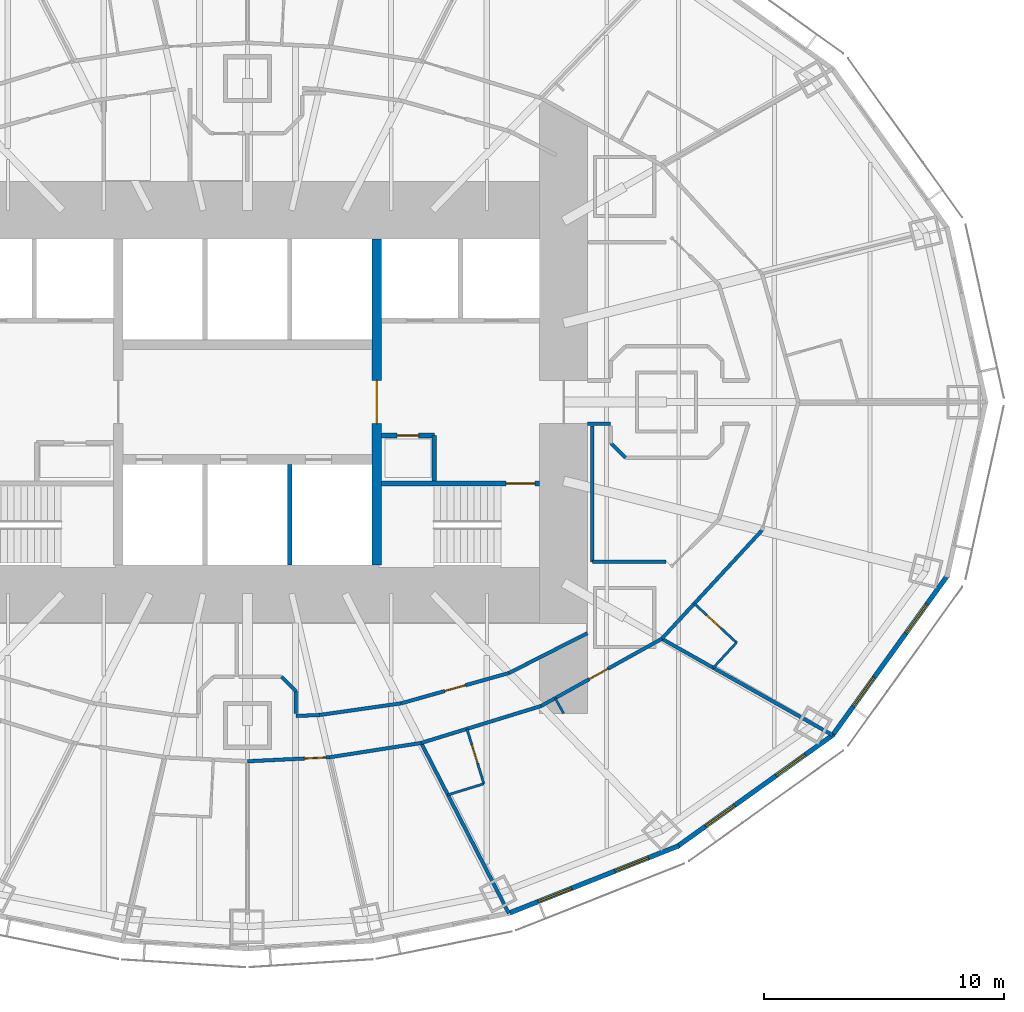
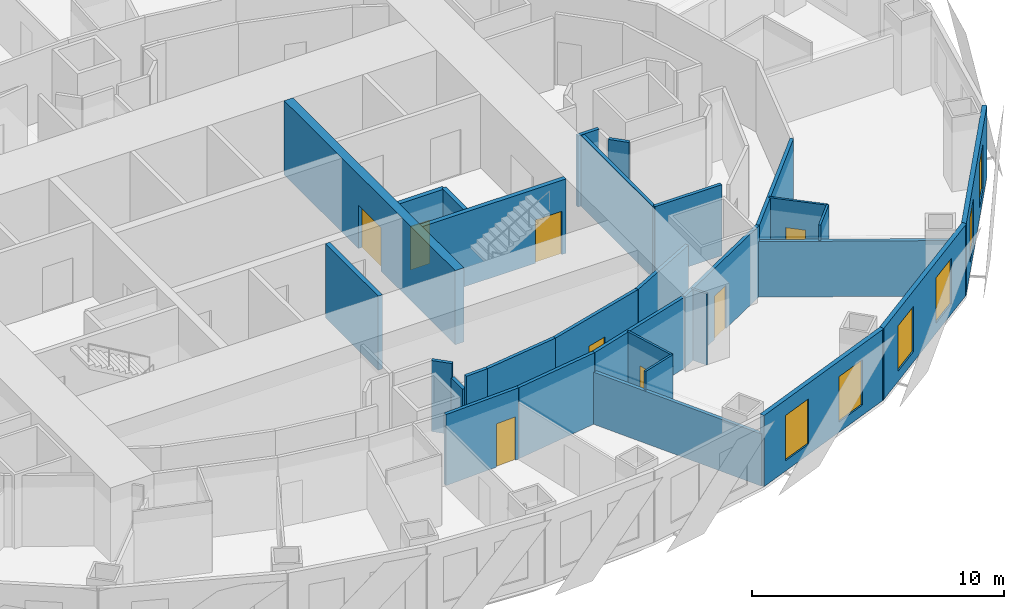
# One storey, part 7 of 15: 30 walls, 8 doors, 6 windows, 14 openings.
"""IFC4 building model written with IfcOpenShell, lengths in metres."""

from ifc_helpers import new_model, si_unit, direction, frame, frame_2d, origin, place, context, subcontext, project, spatial, rectangle, extrude, material, layer, layer_set, type_object, element, fill, save


model = new_model("IFC4")

# Units and contexts
model_context = context("Model", 3, precision=1e-05, world=origin(), true_north=direction((0.0, 1.0)))
body_context = subcontext(model_context, "Body", "Model", "MODEL_VIEW")
ifc_project = project(units=[si_unit("LENGTHUNIT", "METRE"), si_unit("AREAUNIT", "SQUARE_METRE"), si_unit("VOLUMEUNIT", "CUBIC_METRE"), si_unit("PLANEANGLEUNIT", "RADIAN"), si_unit("MASSUNIT", "GRAM", prefix="KILO")], contexts=[model_context])

# Site, building, storey
site_placement = place(None, origin())
site = spatial("IfcSite", under=ifc_project, at=site_placement, CompositionType="ELEMENT")
building_placement = place(site_placement, origin())
building = spatial("IfcBuilding", under=site, at=building_placement, Name="Lantaw Convention Tower", CompositionType="ELEMENT")
storey_placement = place(building_placement, frame((0.0, 0.0, 98.199951171875)))
storey = spatial("IfcBuildingStorey", under=building, at=storey_placement, Name="L23", CompositionType="ELEMENT", Elevation=98.199951171875)

# Walls
ifc_material_1 = material(Name="Gypsum board on steel studs", Category="steel")
ifc_layer_1 = layer(ifc_material_1, 0.14990234375)
ifc_layer_set_1 = layer_set([ifc_layer_1], Name="Back of house wall 150")
wall_type_1 = type_object("IfcWallType", Name="Back of house wall 150", PredefinedType="PARTITIONING", material=ifc_layer_set_1)
wall_1_placement = place(storey_placement, frame((1.424560546875, -11.47509765625, 0.0), z_axis=(0.0, 0.0, 1.0), x_axis=(0.707106781187, -0.707106781187, 0.0)))
element("IfcWall", 1, at=wall_1_placement, inside=storey, type_object=wall_type_1, Name="Back of house wall 150", PredefinedType="PARTITIONING", context=body_context, shape_type="SweptSolid", body=[
    extrude(rectangle(XDim=0.84912109375, YDim=0.14990234375, at=frame_2d((0.424560546875, 0.0))), origin(), (0.0, 0.0, 1.0), 3.449951171875),
])
wall_2_placement = place(storey_placement, frame((2.02490234375, -12.075439453125, 0.0), z_axis=(0.0, 0.0, 1.0), x_axis=(0.0, -1.0, 0.0)))
element("IfcWall", 2, at=wall_2_placement, inside=storey, type_object=wall_type_1, Name="Back of house wall 150", PredefinedType="PARTITIONING", context=body_context, shape_type="SweptSolid", body=[
    extrude(rectangle(XDim=0.9296875, YDim=0.14990234375, at=frame_2d((0.46484375, 0.0))), origin(), (0.0, 0.0, 1.0), 2.7490234375),
])
wall_3_placement = place(storey_placement, frame((14.39990234375, -1.0048828125, 0.0), z_axis=(0.0, 0.0, 1.0), x_axis=(0.0, -1.0, 0.0)))
element("IfcWall", 3, at=wall_3_placement, inside=storey, type_object=wall_type_1, Name="Back of house wall 150", PredefinedType="PARTITIONING", context=body_context, shape_type="SweptSolid", body=[
    extrude(rectangle(XDim=5.670166015625, YDim=0.14990234375, at=frame_2d((2.8349609375, 0.0))), origin(), (0.0, 0.0, 1.0), 3.449951171875),
])
wall_4_placement = place(storey_placement, frame((14.39990234375, -6.675048828125, 0.0), z_axis=(0.0, 0.0, 1.0), x_axis=(1.0, 0.0, 0.0)))
element("IfcWall", 4, at=wall_4_placement, inside=storey, type_object=wall_type_1, Name="Back of house wall 150", PredefinedType="PARTITIONING", context=body_context, shape_type="SweptSolid", body=[
    extrude(rectangle(XDim=3.07470703125, YDim=0.14990234375, at=frame_2d((1.537353515625, 0.0))), origin(), (0.0, 0.0, 1.0), 3.449951171875),
])

# Wall, opening, door
ifc_material_2 = material(Name="Moisture resistant gypsum board on steel studs", Category="steel")
ifc_layer_2 = layer(ifc_material_2, 0.10009765625)
ifc_layer_set_2 = layer_set([ifc_layer_2], Name="Bathroom wall 100")
wall_type_2 = type_object("IfcWallType", Name="Bathroom wall 100", PredefinedType="PARTITIONING", material=ifc_layer_set_2)
wall_5_placement = place(storey_placement, frame((9.164306640625, -13.645751953125, 0.0), z_axis=(0.0, 0.0, 1.0), x_axis=(0.294507586191, -0.955649141514, 0.0)))
wall_5 = element("IfcWall", 5, at=wall_5_placement, inside=storey, type_object=wall_type_2, Name="Bathroom wall 100", PredefinedType="PARTITIONING", context=body_context, shape_type="SweptSolid", body=[
    extrude(rectangle(XDim=2.39990234375, YDim=0.10009765625, at=frame_2d((1.199951171875, 0.0))), origin(), (0.0, 0.0, 1.0), 3.449951171875),
])
opening_1_placement = place(wall_5_placement, frame((0.699951171875, 0.0, 0.0)))
opening_1 = element("IfcOpeningElement", 6, at=opening_1_placement, cuts=wall_5, Name="Opening L23.54", PredefinedType="OPENING", context=body_context, shape_type="SweptSolid", body=[
    extrude(rectangle(XDim=0.800048828125, YDim=2.10009765625, at=frame_2d((0.39990234375, 1.050048828125))), frame((0.0, 0.06005859375, 0.0), z_axis=(0.0, -1.0, 0.0), x_axis=(1.0, 0.0, 0.0)), (0.0, 0.0, 1.0), 0.1201171875),
])
ifc_material_3 = material(Name="Timber", Category="wood")
door_type_1 = type_object("IfcDoorType", Name="Bathroom door 800", OperationType="SINGLE_SWING_LEFT", PredefinedType="DOOR", material=ifc_material_3)
door_1_placement = place(opening_1_placement, origin())
door_1 = element("IfcDoor", 7, at=door_1_placement, inside=storey, type_object=door_type_1, Name="Bathroom door", OperationType="SINGLE_SWING_LEFT", OverallHeight=2.10009765625, OverallWidth=0.800048828125, PredefinedType="DOOR", context=body_context, shape_type="SweptSolid", body=[
    extrude(rectangle(XDim=0.800048828125, YDim=2.10009765625, at=frame_2d((0.39990234375, 1.050048828125))), frame((0.0, 0.02490234375, 0.0), z_axis=(0.0, -1.0, 0.0), x_axis=(1.0, 0.0, 0.0)), (0.0, 0.0, 1.0), 0.050048828125),
])
fill(opening_1, door_1)

# Wall
wall_6_placement = place(storey_placement, frame((9.87109375, -15.939208984375, 0.0), z_axis=(0.0, 0.0, 1.0), x_axis=(-0.955642133669, -0.29453032502, 0.0)))
element("IfcWall", 8, at=wall_6_placement, inside=storey, type_object=wall_type_2, Name="Bathroom wall 100", PredefinedType="PARTITIONING", context=body_context, shape_type="SweptSolid", body=[
    extrude(rectangle(XDim=1.58251953125, YDim=0.10009765625, at=frame_2d((0.791259765625, 0.0))), origin(), (0.0, 0.0, 1.0), 3.449951171875),
])

# Wall, opening, door
wall_7_placement = place(storey_placement, frame((18.65625, -8.416259765625, 0.0), z_axis=(0.0, 0.0, 1.0), x_axis=(0.73447964986, -0.678630712495, 0.0)))
wall_7 = element("IfcWall", 9, at=wall_7_placement, inside=storey, type_object=wall_type_2, Name="Bathroom wall 100", PredefinedType="PARTITIONING", context=body_context, shape_type="SweptSolid", body=[
    extrude(rectangle(XDim=2.39990234375, YDim=0.10009765625, at=frame_2d((1.199951171875, 0.0))), origin(), (0.0, 0.0, 1.0), 3.449951171875),
])
opening_2_placement = place(wall_7_placement, frame((0.699951171875, 0.0, 0.0)))
opening_2 = element("IfcOpeningElement", 10, at=opening_2_placement, cuts=wall_7, Name="Opening L23.56", PredefinedType="OPENING", context=body_context, shape_type="SweptSolid", body=[
    extrude(rectangle(XDim=0.800048828125, YDim=2.10009765625, at=frame_2d((0.39990234375, 1.050048828125))), frame((0.0, 0.06005859375, 0.0), z_axis=(0.0, -1.0, 0.0), x_axis=(1.0, 0.0, 0.0)), (0.0, 0.0, 1.0), 0.1201171875),
])
door_2_placement = place(opening_2_placement, origin())
door_2 = element("IfcDoor", 11, at=door_2_placement, inside=storey, type_object=door_type_1, Name="Bathroom door", OperationType="SINGLE_SWING_LEFT", OverallHeight=2.10009765625, OverallWidth=0.800048828125, PredefinedType="DOOR", context=body_context, shape_type="SweptSolid", body=[
    extrude(rectangle(XDim=0.800048828125, YDim=2.10009765625, at=frame_2d((0.39990234375, 1.050048828125))), frame((0.0, 0.02490234375, 0.0), z_axis=(0.0, -1.0, 0.0), x_axis=(1.0, 0.0, 0.0)), (0.0, 0.0, 1.0), 0.050048828125),
])
fill(opening_2, door_2)

# Wall
wall_8_placement = place(storey_placement, frame((20.4189453125, -10.044921875, 0.0), z_axis=(0.0, 0.0, 1.0), x_axis=(-0.67861657312, -0.734492713842, 0.0)))
element("IfcWall", 12, at=wall_8_placement, inside=storey, type_object=wall_type_2, Name="Bathroom wall 100", PredefinedType="PARTITIONING", context=body_context, shape_type="SweptSolid", body=[
    extrude(rectangle(XDim=1.4462890625, YDim=0.10009765625, at=frame_2d((0.72314453125, 0.0))), origin(), (0.0, 0.0, 1.0), 3.449951171875),
])

# Wall, opening, door
ifc_material_4 = material(Name="Concrete C60/75", Category="concrete")
ifc_layer_3 = layer(ifc_material_4, 0.199951171875)
ifc_layer_set_3 = layer_set([ifc_layer_3], Name="Core wall 200")
wall_type_3 = type_object("IfcWallType", Name="Core wall 200", PredefinedType="SHEAR", material=ifc_layer_set_3)
wall_9_placement = place(storey_placement, frame((5.60009765625, -3.39990234375, 0.0), z_axis=(0.0, 0.0, 1.0), x_axis=(1.0, 0.0, 0.0)))
wall_9 = element("IfcWall", 13, at=wall_9_placement, inside=storey, type_object=wall_type_3, Name="Core wall ES", PredefinedType="SHEAR", context=body_context, shape_type="SweptSolid", body=[
    extrude(rectangle(XDim=6.599853515625, YDim=0.199951171875, at=frame_2d((3.2998046875, 0.0))), origin(), (0.0, 0.0, 1.0), 3.60009765625),
])
opening_3_placement = place(wall_9_placement, frame((5.199951171875, 0.0, 0.0)))
opening_3 = element("IfcOpeningElement", 14, at=opening_3_placement, cuts=wall_9, Name="Opening L23.05", PredefinedType="OPENING", context=body_context, shape_type="SweptSolid", body=[
    extrude(rectangle(XDim=1.199951171875, YDim=2.10009765625, at=frame_2d((0.60009765625, 1.050048828125))), frame((0.0, 0.10986328125, 0.0), z_axis=(0.0, -1.0, 0.0), x_axis=(1.0, 0.0, 0.0)), (0.0, 0.0, 1.0), 0.219970703125),
])
ifc_material_5 = material(Name="Steel, fire rated", Category="steel")
door_type_2 = type_object("IfcDoorType", Name="Stair door FD90", OperationType="SINGLE_SWING_RIGHT", PredefinedType="DOOR", material=ifc_material_5)
door_3_placement = place(opening_3_placement, origin())
door_3 = element("IfcDoor", 15, at=door_3_placement, inside=storey, type_object=door_type_2, Name="Exit stair door", OperationType="SINGLE_SWING_RIGHT", OverallHeight=2.10009765625, OverallWidth=1.199951171875, PredefinedType="DOOR", context=body_context, shape_type="SweptSolid", body=[
    extrude(rectangle(XDim=1.199951171875, YDim=2.10009765625, at=frame_2d((0.60009765625, 1.050048828125))), frame((0.0, 0.02490234375, 0.0), z_axis=(0.0, -1.0, 0.0), x_axis=(1.0, 0.0, 0.0)), (0.0, 0.0, 1.0), 0.050048828125),
])
fill(opening_3, door_3)

ifc_layer_4 = layer(ifc_material_4, 0.39990234375)
ifc_layer_set_4 = layer_set([ifc_layer_4], Name="Core wall 400")
wall_type_4 = type_object("IfcWallType", Name="Core wall 400", PredefinedType="SHEAR", material=ifc_layer_set_4)
wall_10_placement = place(storey_placement, frame((5.39990234375, -6.800048828125, 0.0), z_axis=(0.0, 0.0, 1.0), x_axis=(0.0, 1.0, 0.0)))
wall_10 = element("IfcWall", 16, at=wall_10_placement, inside=storey, type_object=wall_type_4, Name="Core wall XE", PredefinedType="SHEAR", context=body_context, shape_type="SweptSolid", body=[
    extrude(rectangle(XDim=13.60009765625, YDim=0.39990234375, at=frame_2d((6.800048828125, 0.0))), origin(), (0.0, 0.0, 1.0), 3.60009765625),
])
opening_4_placement = place(wall_10_placement, frame((5.89990234375, 0.0, 0.0)))
opening_4 = element("IfcOpeningElement", 17, at=opening_4_placement, cuts=wall_10, Name="Opening L23.03", PredefinedType="OPENING", context=body_context, shape_type="SweptSolid", body=[
    extrude(rectangle(XDim=1.800048828125, YDim=2.10009765625, at=frame_2d((0.89990234375, 1.050048828125))), frame((0.0, 0.2099609375, 0.0), z_axis=(0.0, -1.0, 0.0), x_axis=(1.0, 0.0, 0.0)), (0.0, 0.0, 1.0), 0.419921875),
])
door_type_3 = type_object("IfcDoorType", Name="Lobby double door FD90", OperationType="DOUBLE_DOOR_DOUBLE_SWING", PredefinedType="DOOR", material=ifc_material_5)
door_4_placement = place(opening_4_placement, origin())
door_4 = element("IfcDoor", 18, at=door_4_placement, inside=storey, type_object=door_type_3, Name="Lift lobby door", OperationType="DOUBLE_DOOR_DOUBLE_SWING", OverallHeight=2.10009765625, OverallWidth=1.800048828125, PredefinedType="DOOR", context=body_context, shape_type="SweptSolid", body=[
    extrude(rectangle(XDim=1.800048828125, YDim=2.10009765625, at=frame_2d((0.89990234375, 1.050048828125))), frame((0.0, 0.02490234375, 0.0), z_axis=(0.0, -1.0, 0.0), x_axis=(1.0, 0.0, 0.0)), (0.0, 0.0, 1.0), 0.050048828125),
])
fill(opening_4, door_4)

ifc_material_6 = material(Name="Gypsum board on steel studs, fire rated", Category="steel")
ifc_layer_5 = layer(ifc_material_6, 0.14990234375)
ifc_layer_set_5 = layer_set([ifc_layer_5], Name="Corridor wall 150 EI 60")
wall_type_5 = type_object("IfcWallType", Name="Corridor wall 150 EI 60", PredefinedType="PARTITIONING", material=ifc_layer_set_5)
wall_11_placement = place(storey_placement, frame((0.0, -15.0, 0.0), z_axis=(0.0, 0.0, 1.0), x_axis=(0.998809560203, 0.048779733975, 0.0)))
wall_11 = element("IfcWall", 19, at=wall_11_placement, inside=storey, type_object=wall_type_5, Name="Corridor wall 150", PredefinedType="PARTITIONING", context=body_context, shape_type="SweptSolid", body=[
    extrude(rectangle(XDim=3.428466796875, YDim=0.14990234375, at=frame_2d((1.71435546875, 0.0))), origin(), (0.0, 0.0, 1.0), 3.449951171875),
])
opening_5_placement = place(wall_11_placement, frame((2.37841796875, 0.0, 0.0)))
opening_5 = element("IfcOpeningElement", 20, at=opening_5_placement, cuts=wall_11, Name="Opening L23.53", PredefinedType="OPENING", context=body_context, shape_type="SweptSolid", body=[
    extrude(rectangle(XDim=0.89990234375, YDim=2.10009765625, at=frame_2d((0.449951171875, 1.050048828125))), frame((0.0, 0.0849609375, 0.0), z_axis=(0.0, -1.0, 0.0), x_axis=(1.0, 0.0, 0.0)), (0.0, 0.0, 1.0), 0.169921875),
])
door_type_4 = type_object("IfcDoorType", Name="Guest room entrance door FD30S", OperationType="SINGLE_SWING_LEFT", PredefinedType="DOOR", material=ifc_material_5)
door_5_placement = place(opening_5_placement, origin())
door_5 = element("IfcDoor", 21, at=door_5_placement, inside=storey, type_object=door_type_4, Name="Suite entrance door", OperationType="SINGLE_SWING_LEFT", OverallHeight=2.10009765625, OverallWidth=0.89990234375, PredefinedType="DOOR", context=body_context, shape_type="SweptSolid", body=[
    extrude(rectangle(XDim=0.89990234375, YDim=2.10009765625, at=frame_2d((0.449951171875, 1.050048828125))), frame((0.0, 0.02490234375, 0.0), z_axis=(0.0, -1.0, 0.0), x_axis=(1.0, 0.0, 0.0)), (0.0, 0.0, 1.0), 0.050048828125),
])
fill(opening_5, door_5)

# Walls
wall_12_placement = place(storey_placement, frame((3.42431640625, -14.832763671875, 0.0), z_axis=(0.0, 0.0, 1.0), x_axis=(0.988015036573, 0.154357660987, 0.0)))
element("IfcWall", 22, at=wall_12_placement, inside=storey, type_object=wall_type_5, Name="Corridor wall 150", PredefinedType="PARTITIONING", context=body_context, shape_type="SweptSolid", body=[
    extrude(rectangle(XDim=3.875, YDim=0.14990234375, at=frame_2d((1.9375, 0.0))), origin(), (0.0, 0.0, 1.0), 3.449951171875),
])
wall_13_placement = place(storey_placement, frame((7.2529296875, -14.234619140625, 0.0), z_axis=(0.0, 0.0, 1.0), x_axis=(0.955657956744, 0.294478980085, 0.0)))
element("IfcWall", 23, at=wall_13_placement, inside=storey, type_object=wall_type_5, Name="Corridor wall 150", PredefinedType="PARTITIONING", context=body_context, shape_type="SweptSolid", body=[
    extrude(rectangle(XDim=5.236328125, YDim=0.14990234375, at=frame_2d((2.6181640625, 0.0))), origin(), (0.0, 0.0, 1.0), 3.449951171875),
])

# Wall, opening, door
wall_14_placement = place(storey_placement, frame((12.257080078125, -12.692626953125, 0.0), z_axis=(0.0, 0.0, 1.0), x_axis=(0.873695910579, 0.486472461541, 0.0)))
wall_14 = element("IfcWall", 24, at=wall_14_placement, inside=storey, type_object=wall_type_5, Name="Corridor wall 150", PredefinedType="PARTITIONING", context=body_context, shape_type="SweptSolid", body=[
    extrude(rectangle(XDim=5.77099609375, YDim=0.14990234375, at=frame_2d((2.885498046875, 0.0))), origin(), (0.0, 0.0, 1.0), 3.449951171875),
])
opening_6_placement = place(wall_14_placement, frame((2.301025390625, 0.0, 0.0)))
opening_6 = element("IfcOpeningElement", 25, at=opening_6_placement, cuts=wall_14, Name="Opening L23.55", PredefinedType="OPENING", context=body_context, shape_type="SweptSolid", body=[
    extrude(rectangle(XDim=0.89990234375, YDim=2.10009765625, at=frame_2d((0.449951171875, 1.050048828125))), frame((0.0, 0.0849609375, 0.0), z_axis=(0.0, -1.0, 0.0), x_axis=(1.0, 0.0, 0.0)), (0.0, 0.0, 1.0), 0.169921875),
])
door_6_placement = place(opening_6_placement, origin())
door_6 = element("IfcDoor", 26, at=door_6_placement, inside=storey, type_object=door_type_4, Name="Junior suite entrance door", OperationType="SINGLE_SWING_LEFT", OverallHeight=2.10009765625, OverallWidth=0.89990234375, PredefinedType="DOOR", context=body_context, shape_type="SweptSolid", body=[
    extrude(rectangle(XDim=0.89990234375, YDim=2.10009765625, at=frame_2d((0.449951171875, 1.050048828125))), frame((0.0, 0.02490234375, 0.0), z_axis=(0.0, -1.0, 0.0), x_axis=(1.0, 0.0, 0.0)), (0.0, 0.0, 1.0), 0.050048828125),
])
fill(opening_6, door_6)

# Walls
wall_15_placement = place(storey_placement, frame((17.299072265625, -9.88525390625, 0.0), z_axis=(0.0, 0.0, 1.0), x_axis=(0.678641806296, 0.734469399463, 0.0)))
element("IfcWall", 27, at=wall_15_placement, inside=storey, type_object=wall_type_5, Name="Corridor wall 150", PredefinedType="PARTITIONING", context=body_context, shape_type="SweptSolid", body=[
    extrude(rectangle(XDim=6.166015625, YDim=0.14990234375, at=frame_2d((3.0830078125, 0.0))), origin(), (0.0, 0.0, 1.0), 3.449951171875),
])
wall_16_placement = place(storey_placement, frame((3.016357421875, -13.065673828125, 0.0), z_axis=(0.0, 0.0, 1.0), x_axis=(0.990002114939, 0.14105251652, 0.0)))
element("IfcWall", 28, at=wall_16_placement, inside=storey, type_object=wall_type_5, Name="Corridor wall 150", PredefinedType="PARTITIONING", context=body_context, shape_type="SweptSolid", body=[
    extrude(rectangle(XDim=3.4287109375, YDim=0.14990234375, at=frame_2d((1.71435546875, 0.0))), origin(), (0.0, 0.0, 1.0), 3.449951171875),
])

# Wall, opening, door
wall_17_placement = place(storey_placement, frame((6.410888671875, -12.58203125, 0.0), z_axis=(0.0, 0.0, 1.0), x_axis=(0.962643729928, 0.270771211967, 0.0)))
wall_17 = element("IfcWall", 29, at=wall_17_placement, inside=storey, type_object=wall_type_5, Name="Corridor wall 150", PredefinedType="PARTITIONING", context=body_context, shape_type="SweptSolid", body=[
    extrude(rectangle(XDim=4.6884765625, YDim=0.14990234375, at=frame_2d((2.34423828125, 0.0))), origin(), (0.0, 0.0, 1.0), 3.449951171875),
])
opening_7_placement = place(wall_17_placement, frame((1.894287109375, 0.0, 0.0)))
opening_7 = element("IfcOpeningElement", 30, at=opening_7_placement, cuts=wall_17, Name="Opening L23.24", PredefinedType="OPENING", context=body_context, shape_type="SweptSolid", body=[
    extrude(rectangle(XDim=0.89990234375, YDim=2.10009765625, at=frame_2d((0.449951171875, 1.050048828125))), frame((0.0, 0.0849609375, 0.0), z_axis=(0.0, -1.0, 0.0), x_axis=(1.0, 0.0, 0.0)), (0.0, 0.0, 1.0), 0.169921875),
])
door_type_5 = type_object("IfcDoorType", Name="Service door 900 FD30", OperationType="SINGLE_SWING_LEFT", PredefinedType="DOOR", material=ifc_material_5)
door_7_placement = place(opening_7_placement, origin())
door_7 = element("IfcDoor", 31, at=door_7_placement, inside=storey, type_object=door_type_5, Name="Guest ice and vending room door", OperationType="SINGLE_SWING_LEFT", OverallHeight=2.10009765625, OverallWidth=0.89990234375, PredefinedType="DOOR", context=body_context, shape_type="SweptSolid", body=[
    extrude(rectangle(XDim=0.89990234375, YDim=2.10009765625, at=frame_2d((0.449951171875, 1.050048828125))), frame((0.0, 0.02490234375, 0.0), z_axis=(0.0, -1.0, 0.0), x_axis=(1.0, 0.0, 0.0)), (0.0, 0.0, 1.0), 0.050048828125),
])
fill(opening_7, door_7)

# Walls
wall_18_placement = place(storey_placement, frame((2.034912109375, -13.109375, 0.0), z_axis=(0.0, 0.0, 1.0), x_axis=(0.999010128674, 0.044483286824, 0.0)))
element("IfcWall", 32, at=wall_18_placement, inside=storey, type_object=wall_type_5, Name="Corridor wall 150", PredefinedType="PARTITIONING", context=body_context, shape_type="SweptSolid", body=[
    extrude(rectangle(XDim=0.982421875, YDim=0.14990234375, at=frame_2d((0.4912109375, 0.0))), origin(), (0.0, 0.0, 1.0), 3.449951171875),
])
wall_19_placement = place(storey_placement, frame((10.92431640625, -11.3125, 0.0), z_axis=(0.0, 0.0, 1.0), x_axis=(0.891394713219, 0.453227829292, 0.0)))
element("IfcWall", 33, at=wall_19_placement, inside=storey, type_object=wall_type_5, Name="Corridor wall 150", PredefinedType="PARTITIONING", context=body_context, shape_type="SweptSolid", body=[
    extrude(rectangle(XDim=3.66357421875, YDim=0.14990234375, at=frame_2d((1.831787109375, 0.0))), origin(), (0.0, 0.0, 1.0), 3.449951171875),
])
wall_20_placement = place(storey_placement, frame((14.199951171875, -0.89990234375, 0.0), z_axis=(0.0, 0.0, 1.0), x_axis=(1.0, 0.0, 0.0)))
element("IfcWall", 34, at=wall_20_placement, inside=storey, type_object=wall_type_5, Name="Corridor wall 150", PredefinedType="PARTITIONING", context=body_context, shape_type="SweptSolid", body=[
    extrude(rectangle(XDim=0.965087890625, YDim=0.14990234375, at=frame_2d((0.482421875, 0.0))), origin(), (0.0, 0.0, 1.0), 3.449951171875),
])
wall_21_placement = place(storey_placement, frame((15.775390625, -2.324951171875, 0.0), z_axis=(0.0, 0.0, 1.0), x_axis=(-0.707106781187, 0.707106781187, 0.0)))
element("IfcWall", 35, at=wall_21_placement, inside=storey, type_object=wall_type_5, Name="Corridor wall 150", PredefinedType="PARTITIONING", context=body_context, shape_type="SweptSolid", body=[
    extrude(rectangle(XDim=0.84912109375, YDim=0.14990234375, at=frame_2d((0.424560546875, 0.0))), origin(), (0.0, 0.0, 1.0), 3.449951171875),
])

# Wall, openings, windows
ifc_material_7 = material(Name="Insulated aluminium panel on steel frame", Category="steel")
ifc_layer_6 = layer(ifc_material_7, 0.199951171875)
ifc_layer_set_6 = layer_set([ifc_layer_6], Name="External wall 200")
wall_type_6 = type_object("IfcWallType", Name="External wall 200", PredefinedType="SOLIDWALL", material=ifc_layer_set_6)
wall_22_placement = place(storey_placement, frame((10.869384765625, -21.362548828125, 0.0), z_axis=(0.0, 0.0, 1.0), x_axis=(0.929358351251, 0.369178892895, 0.0)))
wall_22 = element("IfcWall", 36, at=wall_22_placement, inside=storey, type_object=wall_type_6, Name="Facade panel wall", PredefinedType="SOLIDWALL", context=body_context, shape_type="SweptSolid", body=[
    extrude(rectangle(XDim=7.6923828125, YDim=0.199951171875, at=frame_2d((3.84619140625, 0.0))), origin(), (0.0, 0.0, 1.0), 3.449951171875),
])
opening_8_placement = place(wall_22_placement, frame((1.373046875, 0.0, 0.5)))
opening_8 = element("IfcOpeningElement", 37, at=opening_8_placement, cuts=wall_22, Name="Opening W2", PredefinedType="OPENING", context=body_context, shape_type="SweptSolid", body=[
    extrude(rectangle(XDim=1.5, YDim=2.199951171875, at=frame_2d((0.75, 1.10009765625))), frame((0.0, 0.10986328125, 0.0), z_axis=(0.0, -1.0, 0.0), x_axis=(1.0, 0.0, 0.0)), (0.0, 0.0, 1.0), 0.219970703125),
])
opening_9_placement = place(wall_22_placement, frame((4.819091796875, 0.0, 0.5)))
opening_9 = element("IfcOpeningElement", 38, at=opening_9_placement, cuts=wall_22, Name="Opening W2", PredefinedType="OPENING", context=body_context, shape_type="SweptSolid", body=[
    extrude(rectangle(XDim=1.5, YDim=2.199951171875, at=frame_2d((0.75, 1.10009765625))), frame((0.0, 0.10986328125, 0.0), z_axis=(0.0, -1.0, 0.0), x_axis=(1.0, 0.0, 0.0)), (0.0, 0.0, 1.0), 0.219970703125),
])
ifc_material_8 = material(Name="Aluminium frame, clear insulating glass", Category="aluminium")
window_type = type_object("IfcWindowType", Name="Suite window 1500x2200", PartitioningType="SINGLE_PANEL", PredefinedType="WINDOW", material=ifc_material_8)
window_1_placement = place(opening_8_placement, origin())
window_1 = element("IfcWindow", 39, at=window_1_placement, inside=storey, type_object=window_type, Name="Guest room window", OverallHeight=2.199951171875, OverallWidth=1.5, PartitioningType="SINGLE_PANEL", PredefinedType="WINDOW", context=body_context, shape_type="SweptSolid", body=[
    extrude(rectangle(XDim=1.5, YDim=2.199951171875, at=frame_2d((0.75, 1.10009765625))), frame((0.0, 0.030029296875, 0.0), z_axis=(0.0, -1.0, 0.0), x_axis=(1.0, 0.0, 0.0)), (0.0, 0.0, 1.0), 0.06005859375),
])
fill(opening_8, window_1)
window_2_placement = place(opening_9_placement, origin())
window_2 = element("IfcWindow", 40, at=window_2_placement, inside=storey, type_object=window_type, Name="Guest room window", OverallHeight=2.199951171875, OverallWidth=1.5, PartitioningType="SINGLE_PANEL", PredefinedType="WINDOW", context=body_context, shape_type="SweptSolid", body=[
    extrude(rectangle(XDim=1.5, YDim=2.199951171875, at=frame_2d((0.75, 1.10009765625))), frame((0.0, 0.030029296875, 0.0), z_axis=(0.0, -1.0, 0.0), x_axis=(1.0, 0.0, 0.0)), (0.0, 0.0, 1.0), 0.06005859375),
])
fill(opening_9, window_2)

wall_23_placement = place(storey_placement, frame((17.9287109375, -18.57177734375, 0.0), z_axis=(0.0, 0.0, 1.0), x_axis=(0.812791321576, 0.582554948112, 0.0)))
wall_23 = element("IfcWall", 41, at=wall_23_placement, inside=storey, type_object=wall_type_6, Name="Facade panel wall", PredefinedType="SOLIDWALL", context=body_context, shape_type="SweptSolid", body=[
    extrude(rectangle(XDim=8.063232421875, YDim=0.199951171875, at=frame_2d((4.03173828125, 0.0))), origin(), (0.0, 0.0, 1.0), 3.449951171875),
])
opening_10_placement = place(wall_23_placement, frame((1.4658203125, 0.0, 0.5)))
opening_10 = element("IfcOpeningElement", 42, at=opening_10_placement, cuts=wall_23, Name="Opening W2", PredefinedType="OPENING", context=body_context, shape_type="SweptSolid", body=[
    extrude(rectangle(XDim=1.5, YDim=2.199951171875, at=frame_2d((0.75, 1.10009765625))), frame((0.0, 0.10986328125, 0.0), z_axis=(0.0, -1.0, 0.0), x_axis=(1.0, 0.0, 0.0)), (0.0, 0.0, 1.0), 0.219970703125),
])
opening_11_placement = place(wall_23_placement, frame((5.097412109375, 0.0, 0.5)))
opening_11 = element("IfcOpeningElement", 43, at=opening_11_placement, cuts=wall_23, Name="Opening W2", PredefinedType="OPENING", context=body_context, shape_type="SweptSolid", body=[
    extrude(rectangle(XDim=1.5, YDim=2.199951171875, at=frame_2d((0.75, 1.10009765625))), frame((0.0, 0.10986328125, 0.0), z_axis=(0.0, -1.0, 0.0), x_axis=(1.0, 0.0, 0.0)), (0.0, 0.0, 1.0), 0.219970703125),
])
window_3_placement = place(opening_10_placement, origin())
window_3 = element("IfcWindow", 44, at=window_3_placement, inside=storey, type_object=window_type, Name="Guest room window", OverallHeight=2.199951171875, OverallWidth=1.5, PartitioningType="SINGLE_PANEL", PredefinedType="WINDOW", context=body_context, shape_type="SweptSolid", body=[
    extrude(rectangle(XDim=1.5, YDim=2.199951171875, at=frame_2d((0.75, 1.10009765625))), frame((0.0, 0.030029296875, 0.0), z_axis=(0.0, -1.0, 0.0), x_axis=(1.0, 0.0, 0.0)), (0.0, 0.0, 1.0), 0.06005859375),
])
fill(opening_10, window_3)
window_4_placement = place(opening_11_placement, origin())
window_4 = element("IfcWindow", 45, at=window_4_placement, inside=storey, type_object=window_type, Name="Guest room window", OverallHeight=2.199951171875, OverallWidth=1.5, PartitioningType="SINGLE_PANEL", PredefinedType="WINDOW", context=body_context, shape_type="SweptSolid", body=[
    extrude(rectangle(XDim=1.5, YDim=2.199951171875, at=frame_2d((0.75, 1.10009765625))), frame((0.0, 0.030029296875, 0.0), z_axis=(0.0, -1.0, 0.0), x_axis=(1.0, 0.0, 0.0)), (0.0, 0.0, 1.0), 0.06005859375),
])
fill(opening_11, window_4)

wall_24_placement = place(storey_placement, frame((24.400390625, -13.95654296875, 0.0), z_axis=(0.0, 0.0, 1.0), x_axis=(0.583937613703, 0.811798536155, 0.0)))
wall_24 = element("IfcWall", 46, at=wall_24_placement, inside=storey, type_object=wall_type_6, Name="Facade panel wall", PredefinedType="SOLIDWALL", context=body_context, shape_type="SweptSolid", body=[
    extrude(rectangle(XDim=8.322998046875, YDim=0.199951171875, at=frame_2d((4.16162109375, 0.0))), origin(), (0.0, 0.0, 1.0), 3.449951171875),
])
opening_12_placement = place(wall_24_placement, frame((1.53076171875, 0.0, 0.5)))
opening_12 = element("IfcOpeningElement", 47, at=opening_12_placement, cuts=wall_24, Name="Opening W2", PredefinedType="OPENING", context=body_context, shape_type="SweptSolid", body=[
    extrude(rectangle(XDim=1.5, YDim=2.199951171875, at=frame_2d((0.75, 1.10009765625))), frame((0.0, 0.10986328125, 0.0), z_axis=(0.0, -1.0, 0.0), x_axis=(1.0, 0.0, 0.0)), (0.0, 0.0, 1.0), 0.219970703125),
])
opening_13_placement = place(wall_24_placement, frame((5.292236328125, 0.0, 0.5)))
opening_13 = element("IfcOpeningElement", 48, at=opening_13_placement, cuts=wall_24, Name="Opening W2", PredefinedType="OPENING", context=body_context, shape_type="SweptSolid", body=[
    extrude(rectangle(XDim=1.5, YDim=2.199951171875, at=frame_2d((0.75, 1.10009765625))), frame((0.0, 0.10986328125, 0.0), z_axis=(0.0, -1.0, 0.0), x_axis=(1.0, 0.0, 0.0)), (0.0, 0.0, 1.0), 0.219970703125),
])
window_5_placement = place(opening_12_placement, origin())
window_5 = element("IfcWindow", 49, at=window_5_placement, inside=storey, type_object=window_type, Name="Guest room window", OverallHeight=2.199951171875, OverallWidth=1.5, PartitioningType="SINGLE_PANEL", PredefinedType="WINDOW", context=body_context, shape_type="SweptSolid", body=[
    extrude(rectangle(XDim=1.5, YDim=2.199951171875, at=frame_2d((0.75, 1.10009765625))), frame((0.0, 0.030029296875, 0.0), z_axis=(0.0, -1.0, 0.0), x_axis=(1.0, 0.0, 0.0)), (0.0, 0.0, 1.0), 0.06005859375),
])
fill(opening_12, window_5)
window_6_placement = place(opening_13_placement, origin())
window_6 = element("IfcWindow", 50, at=window_6_placement, inside=storey, type_object=window_type, Name="Guest room window", OverallHeight=2.199951171875, OverallWidth=1.5, PartitioningType="SINGLE_PANEL", PredefinedType="WINDOW", context=body_context, shape_type="SweptSolid", body=[
    extrude(rectangle(XDim=1.5, YDim=2.199951171875, at=frame_2d((0.75, 1.10009765625))), frame((0.0, 0.030029296875, 0.0), z_axis=(0.0, -1.0, 0.0), x_axis=(1.0, 0.0, 0.0)), (0.0, 0.0, 1.0), 0.06005859375),
])
fill(opening_13, window_6)

# Walls
ifc_material_9 = material(Name="Gypsum board on steel studs, acoustic", Category="steel")
ifc_layer_7 = layer(ifc_material_9, 0.14990234375)
ifc_layer_set_7 = layer_set([ifc_layer_7], Name="Guest room party wall 150")
wall_type_7 = type_object("IfcWallType", Name="Guest room party wall 150", PredefinedType="PARTITIONING", material=ifc_layer_set_7)
wall_25_placement = place(storey_placement, frame((10.911865234375, -21.345703125, 0.0), z_axis=(0.0, 0.0, 1.0), x_axis=(-0.45752665959, 0.889195904042, 0.0)))
element("IfcWall", 51, at=wall_25_placement, inside=storey, type_object=wall_type_7, Name="Guest room party wall 150", PredefinedType="PARTITIONING", context=body_context, shape_type="SweptSolid", body=[
    extrude(rectangle(XDim=7.997314453125, YDim=0.14990234375, at=frame_2d((3.99853515625, 0.0))), origin(), (0.0, 0.0, 1.0), 2.528076171875),
])
wall_26_placement = place(storey_placement, frame((24.434814453125, -13.90869140625, 0.0), z_axis=(0.0, 0.0, 1.0), x_axis=(-0.871075246657, 0.491149584813, 0.0)))
element("IfcWall", 52, at=wall_26_placement, inside=storey, type_object=wall_type_7, Name="Guest room party wall 150", PredefinedType="PARTITIONING", context=body_context, shape_type="SweptSolid", body=[
    extrude(rectangle(XDim=8.19189453125, YDim=0.14990234375, at=frame_2d((4.095947265625, 0.0))), origin(), (0.0, 0.0, 1.0), 2.693115234375),
])
ifc_layer_8 = layer(ifc_material_9, 0.10009765625)
ifc_layer_set_8 = layer_set([ifc_layer_8], Name="Office partition 100")
wall_type_8 = type_object("IfcWallType", Name="Office partition 100", PredefinedType="PARTITIONING", material=ifc_layer_set_8)
wall_27_placement = place(storey_placement, frame((13.199951171875, -13.0, 0.0), z_axis=(0.0, 0.0, 1.0), x_axis=(-0.486383760903, 0.873745293051, 0.0)))
element("IfcWall", 53, at=wall_27_placement, inside=storey, type_object=wall_type_8, Name="Office partition 100", PredefinedType="PARTITIONING", context=body_context, shape_type="SweptSolid", body=[
    extrude(rectangle(XDim=0.727294921875, YDim=0.10009765625, at=frame_2d((0.36376953125, 0.0))), origin(), (0.0, 0.0, 1.0), 3.449951171875),
])

# Wall, opening, door
ifc_material_10 = material(Name="Concrete blockwork, fire rated", Category="masonry")
ifc_layer_9 = layer(ifc_material_10, 0.199951171875)
ifc_layer_set_9 = layer_set([ifc_layer_9], Name="Plant room wall 200 EI 120")
wall_type_9 = type_object("IfcWallType", Name="Plant room wall 200 EI 120", PredefinedType="SOLIDWALL", material=ifc_layer_set_9)
wall_28_placement = place(storey_placement, frame((5.60009765625, -1.39990234375, 0.0), z_axis=(0.0, 0.0, 1.0), x_axis=(1.0, 0.0, 0.0)))
wall_28 = element("IfcWall", 54, at=wall_28_placement, inside=storey, type_object=wall_type_9, Name="Plant room wall 200", PredefinedType="SOLIDWALL", context=body_context, shape_type="SweptSolid", body=[
    extrude(rectangle(XDim=2.199951171875, YDim=0.199951171875, at=frame_2d((1.10009765625, 0.0))), origin(), (0.0, 0.0, 1.0), 3.449951171875),
])
opening_14_placement = place(wall_28_placement, frame((0.64990234375, 0.0, 0.0)))
opening_14 = element("IfcOpeningElement", 55, at=opening_14_placement, cuts=wall_28, Name="Opening L23.02", PredefinedType="OPENING", context=body_context, shape_type="SweptSolid", body=[
    extrude(rectangle(XDim=0.89990234375, YDim=2.10009765625, at=frame_2d((0.449951171875, 1.050048828125))), frame((0.0, 0.10986328125, 0.0), z_axis=(0.0, -1.0, 0.0), x_axis=(1.0, 0.0, 0.0)), (0.0, 0.0, 1.0), 0.219970703125),
])
door_type_6 = type_object("IfcDoorType", Name="Service door 900 FD60", OperationType="SINGLE_SWING_LEFT", PredefinedType="DOOR", material=ifc_material_5)
door_8_placement = place(opening_14_placement, origin())
door_8 = element("IfcDoor", 56, at=door_8_placement, inside=storey, type_object=door_type_6, Name="Staff WC door", OperationType="SINGLE_SWING_LEFT", OverallHeight=2.10009765625, OverallWidth=0.89990234375, PredefinedType="DOOR", context=body_context, shape_type="SweptSolid", body=[
    extrude(rectangle(XDim=0.89990234375, YDim=2.10009765625, at=frame_2d((0.449951171875, 1.050048828125))), frame((0.0, 0.02490234375, 0.0), z_axis=(0.0, -1.0, 0.0), x_axis=(1.0, 0.0, 0.0)), (0.0, 0.0, 1.0), 0.050048828125),
])
fill(opening_14, door_8)

# Walls
wall_29_placement = place(storey_placement, frame((7.800048828125, -1.39990234375, 0.0), z_axis=(0.0, 0.0, 1.0), x_axis=(0.0, -1.0, 0.0)))
element("IfcWall", 57, at=wall_29_placement, inside=storey, type_object=wall_type_9, Name="Plant room wall 200", PredefinedType="SOLIDWALL", context=body_context, shape_type="SweptSolid", body=[
    extrude(rectangle(XDim=1.900146484375, YDim=0.199951171875, at=frame_2d((0.9501953125, 0.0))), origin(), (0.0, 0.0, 1.0), 3.449951171875),
])
ifc_layer_10 = layer(ifc_material_10, 0.199951171875)
ifc_layer_set_10 = layer_set([ifc_layer_10], Name="Shaft wall 200 load-bearing")
wall_type_10 = type_object("IfcWallType", Name="Shaft wall 200 load-bearing", PredefinedType="SOLIDWALL", material=ifc_layer_set_10)
wall_30_placement = place(storey_placement, frame((1.7666015625, -2.60009765625, 0.0), z_axis=(0.0, 0.0, 1.0), x_axis=(0.0, -1.0, 0.0)))
element("IfcWall", 58, at=wall_30_placement, inside=storey, type_object=wall_type_10, Name="Shaft wall DS2", PredefinedType="SOLIDWALL", context=body_context, shape_type="SweptSolid", body=[
    extrude(rectangle(XDim=4.199951171875, YDim=0.199951171875, at=frame_2d((2.10009765625, 0.0))), origin(), (0.0, 0.0, 1.0), 3.60009765625),
])

save(model, "model.ifc")
